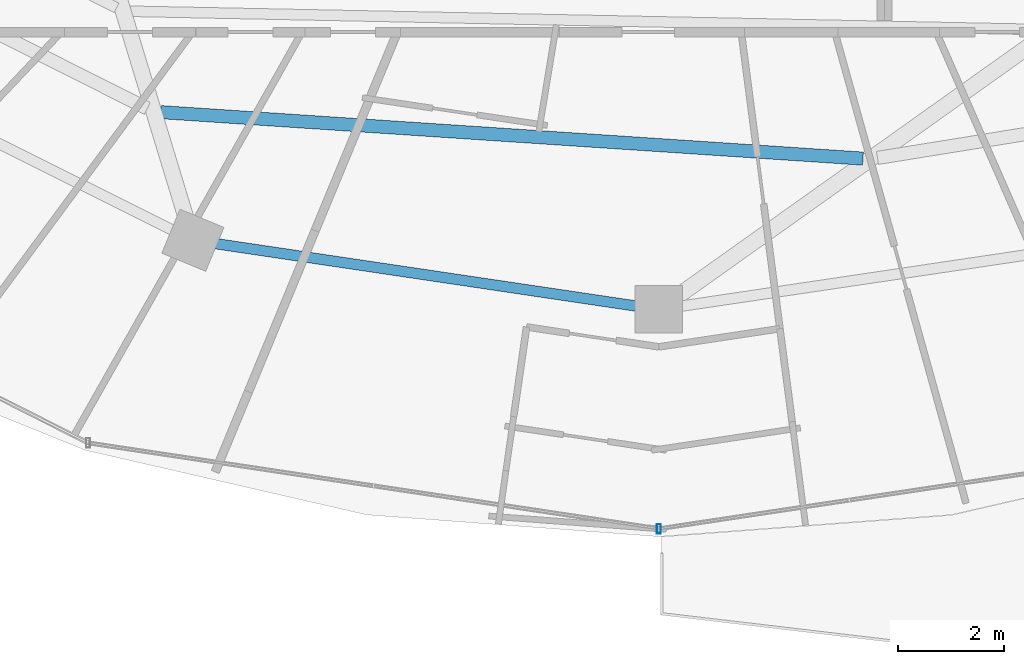
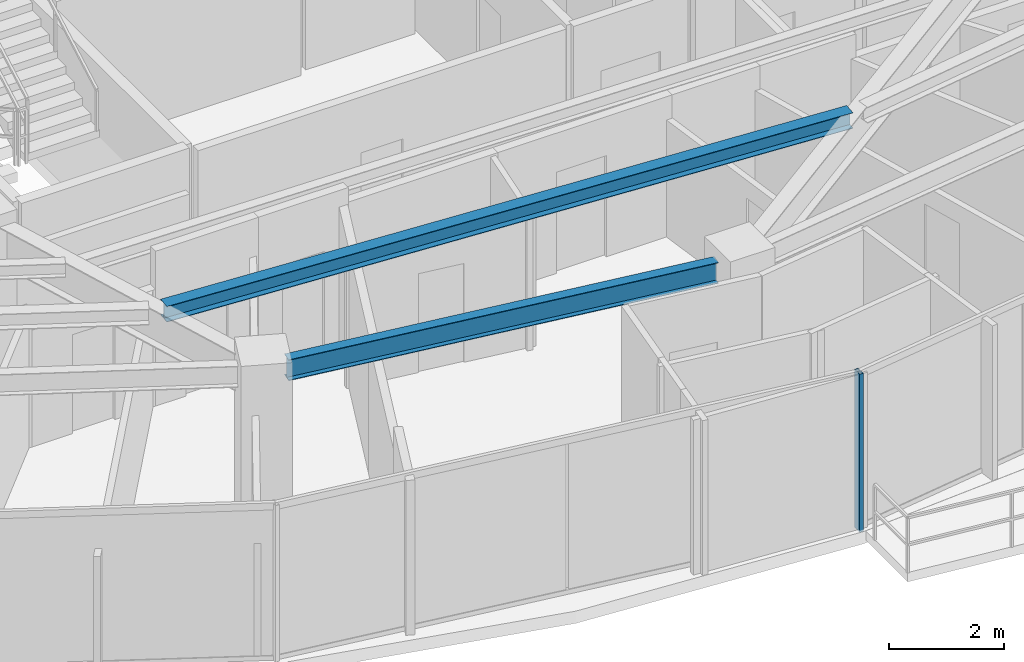
# One storey, part 5 of 34: 2 beams, 1 member, 1 element without a shape of its own.
"""IFC4 building model written with IfcOpenShell, lengths in metres."""

from ifc_helpers import new_model, si_unit, direction, frame, origin, origin_2d, place, context, subcontext, project, spatial, hollow_rectangle, i_section, extrude, material, material_profile, profile_set, type_object, element, aggregate, save


model = new_model("IFC4")

# Units and contexts
model_context = context("Model", 3, precision=1e-05, world=origin(), true_north=direction((0.0, 1.0)))
body_context = subcontext(model_context, "Body", "Model", "MODEL_VIEW")
ifc_project = project(units=[si_unit("LENGTHUNIT", "METRE"), si_unit("AREAUNIT", "SQUARE_METRE"), si_unit("VOLUMEUNIT", "CUBIC_METRE"), si_unit("PLANEANGLEUNIT", "RADIAN"), si_unit("MASSUNIT", "GRAM", prefix="KILO")], contexts=[model_context])

# Site, building, storey
site_placement = place(None, origin())
site = spatial("IfcSite", under=ifc_project, at=site_placement, CompositionType="ELEMENT")
building_placement = place(site_placement, origin())
building = spatial("IfcBuilding", under=site, at=building_placement, Name="Vorneva Point Tower", CompositionType="ELEMENT")
storey_placement = place(building_placement, frame((0.0, 0.0, 210.75)))
storey = spatial("IfcBuildingStorey", under=building, at=storey_placement, Name="L57", CompositionType="ELEMENT", Elevation=210.75)

# Beams
ifc_material_1 = material(Name="Steel S355", Category="steel")
ifc_material_profile_1 = material_profile(ifc_material_1, i_section(OverallWidth=0.2490234375, OverallDepth=0.333984375, WebThickness=0.008056640625, FlangeThickness=0.010986328125, at=origin_2d()), Name="35Sh1")
ifc_profile_set_1 = profile_set([ifc_material_profile_1], Name="Steel S355")
beam_type_1 = type_object("IfcBeamType", Name="BM-SEC-35Sh1", PredefinedType="BEAM", material=ifc_profile_set_1)
beam_1_placement = place(storey_placement, frame((28.576416015625, 12.533935546875, 3.123046875), z_axis=(0.997817414317, -0.066033383117, 0.0), x_axis=(0.066033383117, 0.997817414317, 0.0)))
element("IfcBeam", 1, at=beam_1_placement, inside=storey, type_object=beam_type_1, Name="L57 Secondary Floor Beam 1.12", PredefinedType="BEAM", context=body_context, shape_type="SweptSolid", body=[
    extrude(i_section(OverallWidth=0.2490234375, OverallDepth=0.333984375, WebThickness=0.008056640625, FlangeThickness=0.010986328125, at=origin_2d()), origin(), (0.0, 0.0, 1.0), 13.313720703125),
])
ifc_material_profile_2 = material_profile(ifc_material_1, i_section(OverallWidth=0.198974609375, OverallDepth=0.446044921875, WebThickness=0.008056640625, FlangeThickness=0.011962890625, at=origin_2d()), Name="45B1")
ifc_profile_set_2 = profile_set([ifc_material_profile_2], Name="Steel S355")
beam_type_2 = type_object("IfcBeamType", Name="BM-SPN-45B1", PredefinedType="SPANDREL", material=ifc_profile_set_2)
beam_2_placement = place(storey_placement, frame((29.609375, 10.04541015625, 3.06689453125), z_axis=(0.989165476332, -0.146804837907, 0.0), x_axis=(0.146804837907, 0.989165476332, 0.0)))
element("IfcBeam", 2, at=beam_2_placement, inside=storey, type_object=beam_type_2, Name="L57 Perimeter Spandrel Ring Beam 12", PredefinedType="SPANDREL", context=body_context, shape_type="SweptSolid", body=[
    extrude(i_section(OverallWidth=0.198974609375, OverallDepth=0.446044921875, WebThickness=0.008056640625, FlangeThickness=0.011962890625, at=origin_2d()), origin(), (0.0, 0.0, 1.0), 8.04736328125),
])

# Curtain wall, member
ifc_material_2 = material(Name="Pale anodised aluminium", Category="aluminium")
curtain_wall_type = type_object("IfcCurtainWallType", Name="CW-RES-SYS", PredefinedType="NOTDEFINED", material=ifc_material_2)
curtain_wall_placement = place(storey_placement, origin())
curtain_wall = element("IfcCurtainWall", 3, at=curtain_wall_placement, inside=storey, type_object=curtain_wall_type, Name="L57 Unitised Curtain Wall CW-L57-R04", PredefinedType="NOTDEFINED")
ifc_material_profile_3 = material_profile(ifc_material_2, hollow_rectangle(XDim=0.074951171875, YDim=0.179931640625, WallThickness=0.00390625, at=origin_2d()), Name="AL-MUL 180x75x4")
ifc_profile_set_3 = profile_set([ifc_material_profile_3], Name="Pale anodised aluminium")
member_type = type_object("IfcMemberType", Name="CW-MUL-180", PredefinedType="MULLION", material=ifc_profile_set_3)
member_placement = place(storey_placement, frame((38.0, 4.64990234375, -0.0400390625), z_axis=(0.0, 0.0, 1.0), x_axis=(1.0, 0.0, 0.0)))
member = element("IfcMember", 4, at=member_placement, type_object=member_type, Name="CW-L57-R04 Mullion 03", PredefinedType="MULLION", context=body_context, shape_type="SweptSolid", body=[
    extrude(hollow_rectangle(XDim=0.074951171875, YDim=0.179931640625, WallThickness=0.00390625, at=origin_2d()), origin(), (0.0, 0.0, 1.0), 3.360107421875),
])
aggregate(curtain_wall, [member])

save(model, "model.ifc")
